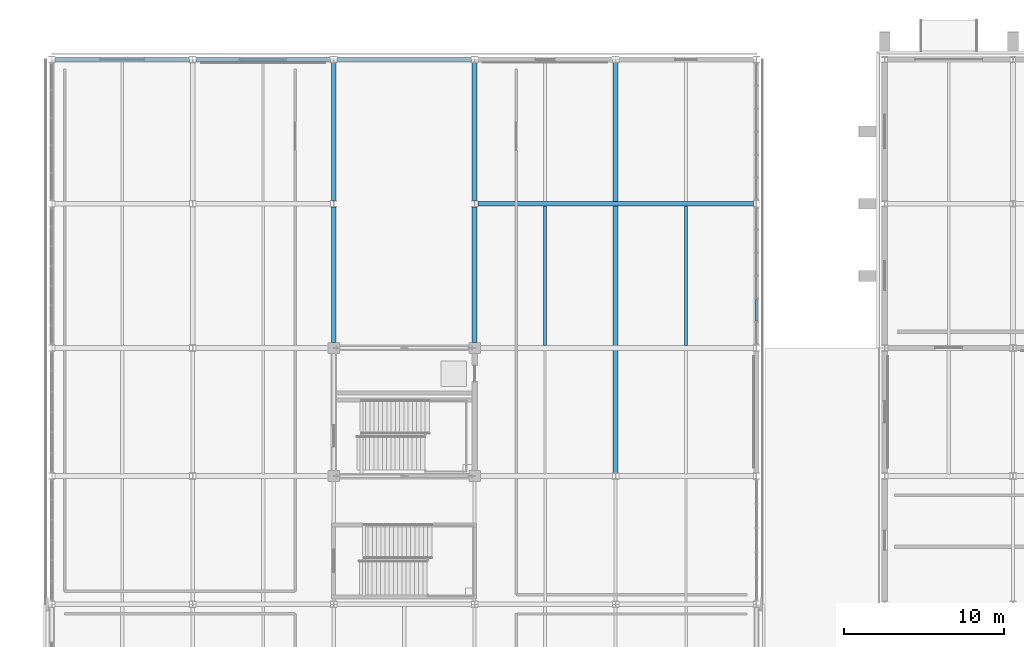
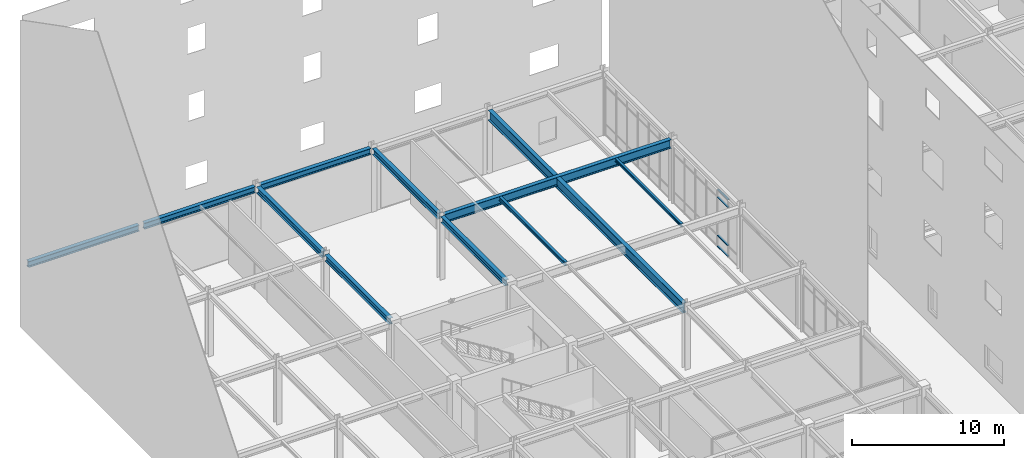
# One storey, part 45 of 119: 11 beams, 4 members, 1 element without a shape of its own.
"""IFC4 building model written with IfcOpenShell, lengths in metres."""

from ifc_helpers import new_model, si_unit, direction, frame, origin, origin_2d, place, context, subcontext, project, spatial, rectangle, i_section, extrude, material, material_profile, profile_set, type_object, element, aggregate, save


model = new_model("IFC4")

# Units and contexts
model_context = context("Model", 3, precision=1e-05, world=origin(), true_north=direction((0.0, 1.0)))
body_context = subcontext(model_context, "Body", "Model", "MODEL_VIEW")
ifc_project = project(units=[si_unit("LENGTHUNIT", "METRE"), si_unit("AREAUNIT", "SQUARE_METRE"), si_unit("VOLUMEUNIT", "CUBIC_METRE"), si_unit("PLANEANGLEUNIT", "RADIAN"), si_unit("MASSUNIT", "GRAM", prefix="KILO")], contexts=[model_context])

# Site, building, storey
site_placement = place(None, origin())
site = spatial("IfcSite", under=ifc_project, at=site_placement, CompositionType="ELEMENT")
building_placement = place(site_placement, origin())
building = spatial("IfcBuilding", under=site, at=building_placement, Name="Zhaolan Boulevard Law Courts", CompositionType="ELEMENT")
storey_placement = place(building_placement, origin())
storey = spatial("IfcBuildingStorey", under=building, at=storey_placement, Name="L00", CompositionType="ELEMENT", Elevation=0.0)

# Curtain wall, members
ifc_material_1 = material(Name="Thermally broken aluminium and low-E glazing", Category="aluminium")
curtain_wall_type = type_object("IfcCurtainWallType", Name="CURTAIN WALL M9", PredefinedType="USERDEFINED", material=ifc_material_1)
curtain_wall_placement = place(storey_placement, origin())
curtain_wall = element("IfcCurtainWall", 1, at=curtain_wall_placement, inside=storey, type_object=curtain_wall_type, Name="Curtain Wall CW-L00-105", ObjectType="CURTAIN WALL", PredefinedType="USERDEFINED")
ifc_material_2 = material(Name="Fluorocarbon-coated aluminium 6063-T6", Category="aluminium")
ifc_material_profile_1 = material_profile(ifc_material_2, rectangle(XDim=0.139892578125, YDim=0.06494140625, at=origin_2d()), Name="AL65x140")
ifc_profile_set_1 = profile_set([ifc_material_profile_1], Name="Fluorocarbon-coated aluminium 6063-T6")
member_type = type_object("IfcMemberType", Name="CWTRANSOM 65X140", PredefinedType="USERDEFINED", material=ifc_profile_set_1)
member_1_placement = place(storey_placement, frame((44.0, 95.667236328125, 0.032470703125), z_axis=(0.0, 1.0, 0.0), x_axis=(-1.0, 0.0, 0.0)))
member_1 = element("IfcMember", 2, at=member_1_placement, type_object=member_type, Name="CW-L00-105 transom 2.1", ObjectType="TRANSOM", PredefinedType="USERDEFINED", context=body_context, shape_type="SweptSolid", body=[
    extrude(rectangle(XDim=0.139892578125, YDim=0.06494140625, at=origin_2d()), origin(), (0.0, 0.0, 1.0), 1.36767578125),
])
member_2_placement = place(storey_placement, frame((44.0, 95.667236328125, 0.89990234375), z_axis=(0.0, 1.0, 0.0), x_axis=(-1.0, 0.0, 0.0)))
member_2 = element("IfcMember", 3, at=member_2_placement, type_object=member_type, Name="CW-L00-105 transom 2.2", ObjectType="TRANSOM", PredefinedType="USERDEFINED", context=body_context, shape_type="SweptSolid", body=[
    extrude(rectangle(XDim=0.139892578125, YDim=0.06494140625, at=origin_2d()), origin(), (0.0, 0.0, 1.0), 1.36767578125),
])
member_3_placement = place(storey_placement, frame((44.0, 95.667236328125, 3.970947265625), z_axis=(0.0, 1.0, 0.0), x_axis=(-1.0, 0.0, 0.0)))
member_3 = element("IfcMember", 4, at=member_3_placement, type_object=member_type, Name="CW-L00-105 transom 2.3", ObjectType="TRANSOM", PredefinedType="USERDEFINED", context=body_context, shape_type="SweptSolid", body=[
    extrude(rectangle(XDim=0.139892578125, YDim=0.06494140625, at=origin_2d()), origin(), (0.0, 0.0, 1.0), 1.36767578125),
])
member_4_placement = place(storey_placement, frame((44.0, 95.667236328125, 4.58837890625), z_axis=(0.0, 1.0, 0.0), x_axis=(-1.0, 0.0, 0.0)))
member_4 = element("IfcMember", 5, at=member_4_placement, type_object=member_type, Name="CW-L00-105 transom 2.4", ObjectType="TRANSOM", PredefinedType="USERDEFINED", context=body_context, shape_type="SweptSolid", body=[
    extrude(rectangle(XDim=0.139892578125, YDim=0.06494140625, at=origin_2d()), origin(), (0.0, 0.0, 1.0), 1.36767578125),
])
aggregate(curtain_wall, [member_1, member_2, member_3, member_4])

# Beams
ifc_material_3 = material(Name="Structural steel Q355B", Category="steel")
ifc_material_profile_2 = material_profile(ifc_material_3, i_section(OverallWidth=0.300048828125, OverallDepth=0.48193359375, WebThickness=0.010986328125, FlangeThickness=0.014892578125, FilletRadius=0.02197265625, at=origin_2d()), Name="HM482x300")
ifc_profile_set_2 = profile_set([ifc_material_profile_2], Name="Structural steel Q355B")
beam_type_1 = type_object("IfcBeamType", Name="GIRDER HM488", PredefinedType="BEAM", material=ifc_profile_set_2)
beam_1_placement = place(storey_placement, frame((17.60009765625, 94.345947265625, 4.876953125), z_axis=(0.0, 1.0, 0.0), x_axis=(-1.0, 0.0, 0.0)))
element("IfcBeam", 6, at=beam_1_placement, inside=storey, type_object=beam_type_1, Name="Beam BY-L01-3-N-P", PredefinedType="BEAM", context=body_context, shape_type="SweptSolid", body=[
    extrude(i_section(OverallWidth=0.300048828125, OverallDepth=0.48193359375, WebThickness=0.010986328125, FlangeThickness=0.014892578125, FilletRadius=0.02197265625, at=origin_2d()), origin(), (0.0, 0.0, 1.0), 8.4580078125),
])
beam_2_placement = place(storey_placement, frame((17.60009765625, 103.196044921875, 4.876953125), z_axis=(0.0, 1.0, 0.0), x_axis=(-1.0, 0.0, 0.0)))
element("IfcBeam", 7, at=beam_2_placement, inside=storey, type_object=beam_type_1, Name="Beam BY-L01-3-P-Q", PredefinedType="BEAM", context=body_context, shape_type="SweptSolid", body=[
    extrude(i_section(OverallWidth=0.300048828125, OverallDepth=0.48193359375, WebThickness=0.010986328125, FlangeThickness=0.014892578125, FilletRadius=0.02197265625, at=origin_2d()), origin(), (0.0, 0.0, 1.0), 8.60791015625),
])
beam_3_placement = place(storey_placement, frame((26.39990234375, 94.345947265625, 4.876953125), z_axis=(0.0, 1.0, 0.0), x_axis=(-1.0, 0.0, 0.0)))
element("IfcBeam", 8, at=beam_3_placement, inside=storey, type_object=beam_type_1, Name="Beam BY-L01-4-N-P", PredefinedType="BEAM", context=body_context, shape_type="SweptSolid", body=[
    extrude(i_section(OverallWidth=0.300048828125, OverallDepth=0.48193359375, WebThickness=0.010986328125, FlangeThickness=0.014892578125, FilletRadius=0.02197265625, at=origin_2d()), origin(), (0.0, 0.0, 1.0), 8.4580078125),
])
beam_4_placement = place(storey_placement, frame((26.39990234375, 103.196044921875, 4.876953125), z_axis=(0.0, 1.0, 0.0), x_axis=(-1.0, 0.0, 0.0)))
element("IfcBeam", 9, at=beam_4_placement, inside=storey, type_object=beam_type_1, Name="Beam BY-L01-4-P-Q", PredefinedType="BEAM", context=body_context, shape_type="SweptSolid", body=[
    extrude(i_section(OverallWidth=0.300048828125, OverallDepth=0.48193359375, WebThickness=0.010986328125, FlangeThickness=0.014892578125, FilletRadius=0.02197265625, at=origin_2d()), origin(), (0.0, 0.0, 1.0), 8.60791015625),
])
ifc_material_4 = material(Name="Structural steel Q355B", Category="steel")
ifc_material_profile_3 = material_profile(ifc_material_4, i_section(OverallWidth=0.300048828125, OverallDepth=0.488037109375, WebThickness=0.010986328125, FlangeThickness=0.01806640625, FilletRadius=0.02197265625, at=origin_2d()), Name="HM488x300")
ifc_profile_set_3 = profile_set([ifc_material_profile_3], Name="Structural steel Q355B")
beam_type_2 = type_object("IfcBeamType", Name="GIRDER HM500", PredefinedType="BEAM", material=ifc_profile_set_3)
for number, where, z_axis, x_axis, name in (
    (10, (0.196044921875, 112.0, 4.8740234375), (1.0, 0.0, 0.0), (0.0, 1.0, 0.0), "Beam BX-L01-1-2-Q"),
    (11, (8.99609375, 112.0, 4.8740234375), (1.0, 0.0, 0.0), (0.0, 1.0, 0.0), "Beam BX-L01-2-3-Q"),
):
    element("IfcBeam", number, at=place(storey_placement, frame(where, z_axis=z_axis, x_axis=x_axis)), inside=storey, type_object=beam_type_2, Name=name, PredefinedType="BEAM", context=body_context, shape_type="SweptSolid", body=[
        extrude(i_section(OverallWidth=0.300048828125, OverallDepth=0.488037109375, WebThickness=0.010986328125, FlangeThickness=0.01806640625, FilletRadius=0.02197265625, at=origin_2d()), origin(), (0.0, 0.0, 1.0), 8.407958984375),
    ])
beam_5_placement = place(storey_placement, frame((17.7958984375, 112.0, 4.8740234375), z_axis=(1.0, 0.0, 0.0), x_axis=(0.0, 1.0, 0.0)))
element("IfcBeam", 12, at=beam_5_placement, inside=storey, type_object=beam_type_2, Name="Beam BX-L01-3-4-Q", PredefinedType="BEAM", context=body_context, shape_type="SweptSolid", body=[
    extrude(i_section(OverallWidth=0.300048828125, OverallDepth=0.488037109375, WebThickness=0.010986328125, FlangeThickness=0.01806640625, FilletRadius=0.02197265625, at=origin_2d()), origin(), (0.0, 0.0, 1.0), 8.408203125),
])
ifc_material_5 = material(Name="Structural steel Q390B", Category="steel")
ifc_material_profile_4 = material_profile(ifc_material_5, i_section(OverallWidth=0.300048828125, OverallDepth=0.699951171875, WebThickness=0.012939453125, FlangeThickness=0.02392578125, FilletRadius=0.02392578125, at=origin_2d()), Name="HN700x300")
ifc_profile_set_4 = profile_set([ifc_material_profile_4], Name="Structural steel Q390B")
beam_type_3 = type_object("IfcBeamType", Name="GIRDER HN700", PredefinedType="BEAM", material=ifc_profile_set_4)
beam_6_placement = place(storey_placement, frame((26.595947265625, 103.0, 4.76806640625), z_axis=(1.0, 0.0, 0.0), x_axis=(0.0, 1.0, 0.0)))
element("IfcBeam", 13, at=beam_6_placement, inside=storey, type_object=beam_type_3, Name="Beam BX-L01-4-6-P", PredefinedType="BEAM", context=body_context, shape_type="SweptSolid", body=[
    extrude(i_section(OverallWidth=0.300048828125, OverallDepth=0.699951171875, WebThickness=0.012939453125, FlangeThickness=0.02392578125, FilletRadius=0.02392578125, at=origin_2d()), origin(), (0.0, 0.0, 1.0), 17.2080078125),
])
ifc_material_6 = material(Name="Structural steel Q390B", Category="steel")
ifc_material_profile_5 = material_profile(ifc_material_6, i_section(OverallWidth=0.300048828125, OverallDepth=0.800048828125, WebThickness=0.013916015625, FlangeThickness=0.02587890625, FilletRadius=0.02392578125, at=origin_2d()), Name="HN800x300")
ifc_profile_set_5 = profile_set([ifc_material_profile_5], Name="Structural steel Q390B")
beam_type_4 = type_object("IfcBeamType", Name="GIRDER HN800", PredefinedType="BEAM", material=ifc_profile_set_5)
beam_7_placement = place(storey_placement, frame((35.199951171875, 86.196044921875, 4.718017578125), z_axis=(0.0, 1.0, 0.0), x_axis=(-1.0, 0.0, 0.0)))
element("IfcBeam", 14, at=beam_7_placement, inside=storey, type_object=beam_type_4, Name="Beam BY-L01-5-M-Q", PredefinedType="BEAM", context=body_context, shape_type="SweptSolid", body=[
    extrude(i_section(OverallWidth=0.300048828125, OverallDepth=0.800048828125, WebThickness=0.013916015625, FlangeThickness=0.02587890625, FilletRadius=0.02392578125, at=origin_2d()), origin(), (0.0, 0.0, 1.0), 25.60791015625),
])
ifc_material_7 = material(Name="Structural steel Q355B", Category="steel")
ifc_material_profile_6 = material_profile(ifc_material_7, i_section(OverallWidth=0.175048828125, OverallDepth=0.243896484375, WebThickness=0.007080078125, FlangeThickness=0.010986328125, FilletRadius=0.012939453125, at=origin_2d()), Name="HM244x175")
ifc_profile_set_6 = profile_set([ifc_material_profile_6], Name="Structural steel Q355B")
beam_type_5 = type_object("IfcBeamType", Name="JOIST HM244", PredefinedType="JOIST", material=ifc_profile_set_6)
beam_8_placement = place(storey_placement, frame((39.60009765625, 94.14599609375, 4.99609375), z_axis=(0.0, 1.0, 0.0), x_axis=(-1.0, 0.0, 0.0)))
element("IfcBeam", 15, at=beam_8_placement, inside=storey, type_object=beam_type_5, Name="Composite Joist J-L01-5N", PredefinedType="JOIST", context=body_context, shape_type="SweptSolid", body=[
    extrude(i_section(OverallWidth=0.175048828125, OverallDepth=0.243896484375, WebThickness=0.007080078125, FlangeThickness=0.010986328125, FilletRadius=0.012939453125, at=origin_2d()), origin(), (0.0, 0.0, 1.0), 8.7080078125),
])
ifc_material_8 = material(Name="Structural steel Q355B", Category="steel")
ifc_material_profile_7 = material_profile(ifc_material_8, i_section(OverallWidth=0.199951171875, OverallDepth=0.2939453125, WebThickness=0.008056640625, FlangeThickness=0.011962890625, FilletRadius=0.01611328125, at=origin_2d()), Name="HM294x200")
ifc_profile_set_7 = profile_set([ifc_material_profile_7], Name="Structural steel Q355B")
beam_type_6 = type_object("IfcBeamType", Name="JOIST HM294", PredefinedType="JOIST", material=ifc_profile_set_7)
beam_9_placement = place(storey_placement, frame((30.800048828125, 94.14599609375, 4.970947265625), z_axis=(0.0, 1.0, 0.0), x_axis=(-1.0, 0.0, 0.0)))
element("IfcBeam", 16, at=beam_9_placement, inside=storey, type_object=beam_type_6, Name="Composite Joist J-L01-4N", PredefinedType="JOIST", context=body_context, shape_type="SweptSolid", body=[
    extrude(i_section(OverallWidth=0.199951171875, OverallDepth=0.2939453125, WebThickness=0.008056640625, FlangeThickness=0.011962890625, FilletRadius=0.01611328125, at=origin_2d()), origin(), (0.0, 0.0, 1.0), 8.7080078125),
])

save(model, "model.ifc")
